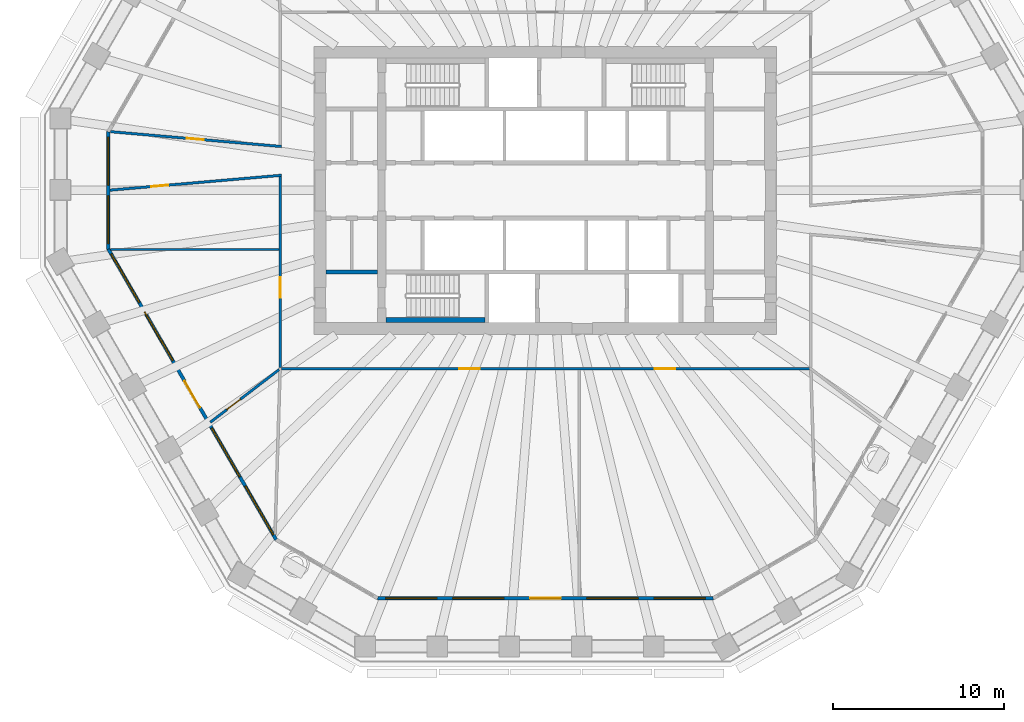
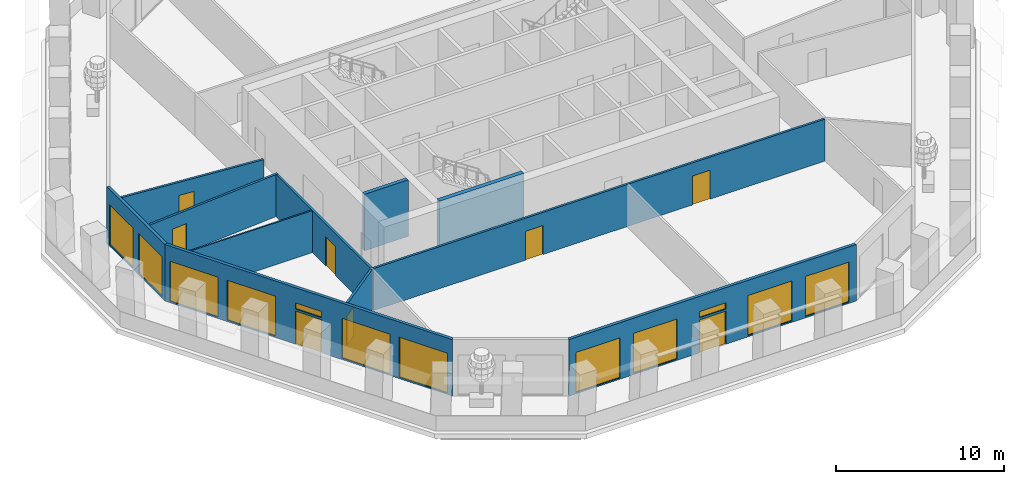
# One storey, part 3 of 12: 12 windows, 11 walls, 8 doors, 20 openings.
"""IFC4 building model written with IfcOpenShell, lengths in metres."""

from ifc_helpers import new_model, si_unit, direction, frame, frame_2d, origin, place, context, subcontext, project, spatial, polyline, rectangle, outline, extrude, material, layer, layer_set, type_object, element, fill, save


model = new_model("IFC4")

# Units and contexts
model_context = context("Model", 3, precision=1e-05, world=origin(), true_north=direction((0.0, 1.0)))
body_context = subcontext(model_context, "Body", "Model", "MODEL_VIEW")
ifc_project = project(units=[si_unit("LENGTHUNIT", "METRE"), si_unit("AREAUNIT", "SQUARE_METRE"), si_unit("VOLUMEUNIT", "CUBIC_METRE"), si_unit("PLANEANGLEUNIT", "RADIAN"), si_unit("MASSUNIT", "GRAM", prefix="KILO")], contexts=[model_context])

# Site, building, storey
site_placement = place(None, origin())
site = spatial("IfcSite", under=ifc_project, at=site_placement, CompositionType="ELEMENT")
building_placement = place(site_placement, origin())
building = spatial("IfcBuilding", under=site, at=building_placement, Name="Frailejon Research Tower", CompositionType="ELEMENT")
storey_placement = place(building_placement, frame((0.0, 0.0, 145.199951171875)))
storey = spatial("IfcBuildingStorey", under=building, at=storey_placement, Name="L31", CompositionType="ELEMENT", Elevation=145.199951171875)

# Wall, opening, door
ifc_material_1 = material(Name="Gypsum board and masonry partition", Category="masonry")
ifc_layer_1 = layer(ifc_material_1, 0.14990234375)
ifc_layer_set_1 = layer_set([ifc_layer_1], Name="Corridor wall EI 60, gypsum on steel studs 150")
wall_type_1 = type_object("IfcWallType", Name="Corridor wall EI 60, gypsum on steel studs 150", PredefinedType="PARTITIONING", material=ifc_layer_set_1)
wall_1_placement = place(storey_placement, frame((-15.550048828125, -10.375, 0.0), z_axis=(0.0, 0.0, 1.0), x_axis=(0.0, 1.0, 0.0)))
wall_1 = element("IfcWall", 1, at=wall_1_placement, inside=storey, type_object=wall_type_1, Name="T:IW:L31:004", PredefinedType="PARTITIONING", context=body_context, shape_type="SweptSolid", body=[
    extrude(rectangle(XDim=11.18212890625, YDim=0.14990234375, at=frame_2d((5.591064453125, 0.0))), origin(), (0.0, 0.0, 1.0), 3.050048828125),
])
opening_1_placement = place(wall_1_placement, frame((4.08935546875, 0.0, 0.0)))
opening_1 = element("IfcOpeningElement", 2, at=opening_1_placement, cuts=wall_1, Name="Opening D1702", PredefinedType="OPENING", context=body_context, shape_type="SweptSolid", body=[
    extrude(rectangle(XDim=1.199951171875, YDim=2.10009765625, at=frame_2d((0.60009765625, 1.050048828125))), frame((0.0, 0.0849609375, 0.0), z_axis=(0.0, -1.0, 0.0), x_axis=(1.0, 0.0, 0.0)), (0.0, 0.0, 1.0), 0.169921875),
])
ifc_material_2 = material(Name="Timber door leaf", Category="wood")
door_type_1 = type_object("IfcDoorType", Name="Door single leaf, timber, steel frame 1200", OperationType="NOTDEFINED", PredefinedType="DOOR", material=ifc_material_2)
door_1_placement = place(opening_1_placement, origin())
door_1 = element("IfcDoor", 3, at=door_1_placement, inside=storey, type_object=door_type_1, Name="D1702", OperationType="DOUBLE_DOOR_SINGLE_SWING", OverallHeight=2.10009765625, OverallWidth=1.199951171875, PredefinedType="DOOR", context=body_context, shape_type="SweptSolid", body=[
    extrude(rectangle(XDim=1.199951171875, YDim=2.10009765625, at=frame_2d((0.60009765625, 1.050048828125))), frame((0.0, 0.02490234375, 0.0), z_axis=(0.0, -1.0, 0.0), x_axis=(1.0, 0.0, 0.0)), (0.0, 0.0, 1.0), 0.050048828125),
])
fill(opening_1, door_1)

# Wall, openings, doors
wall_2_placement = place(storey_placement, frame((-15.47509765625, -10.449951171875, 0.0), z_axis=(0.0, 0.0, 1.0), x_axis=(1.0, 0.0, 0.0)))
wall_2 = element("IfcWall", 4, at=wall_2_placement, inside=storey, type_object=wall_type_1, Name="T:IW:L31:006", PredefinedType="PARTITIONING", context=body_context, shape_type="SweptSolid", body=[
    extrude(rectangle(XDim=30.9501953125, YDim=0.14990234375, at=frame_2d((15.47509765625, 0.0))), origin(), (0.0, 0.0, 1.0), 3.050048828125),
])
opening_2_placement = place(wall_2_placement, frame((10.4287109375, 0.0, 0.0)))
opening_2 = element("IfcOpeningElement", 5, at=opening_2_placement, cuts=wall_2, Name="Opening D1704", PredefinedType="OPENING", context=body_context, shape_type="SweptSolid", body=[
    extrude(rectangle(XDim=1.199951171875, YDim=2.10009765625, at=frame_2d((0.60009765625, 1.050048828125))), frame((0.0, 0.0849609375, 0.0), z_axis=(0.0, -1.0, 0.0), x_axis=(1.0, 0.0, 0.0)), (0.0, 0.0, 1.0), 0.169921875),
])
opening_3_placement = place(wall_2_placement, frame((21.8837890625, 0.0, 0.0)))
opening_3 = element("IfcOpeningElement", 6, at=opening_3_placement, cuts=wall_2, Name="Opening D1705", PredefinedType="OPENING", context=body_context, shape_type="SweptSolid", body=[
    extrude(rectangle(XDim=1.199951171875, YDim=2.10009765625, at=frame_2d((0.60009765625, 1.050048828125))), frame((0.0, 0.0849609375, 0.0), z_axis=(0.0, -1.0, 0.0), x_axis=(1.0, 0.0, 0.0)), (0.0, 0.0, 1.0), 0.169921875),
])
ifc_material_3 = material(Name="Timber door leaf", Category="wood")
door_type_2 = type_object("IfcDoorType", Name="Door laboratory, timber, vision panel 1200", OperationType="NOTDEFINED", PredefinedType="DOOR", material=ifc_material_3)
door_2_placement = place(opening_2_placement, origin())
door_2 = element("IfcDoor", 7, at=door_2_placement, inside=storey, type_object=door_type_2, Name="D1704", OperationType="DOUBLE_DOOR_SINGLE_SWING", OverallHeight=2.10009765625, OverallWidth=1.199951171875, PredefinedType="DOOR", context=body_context, shape_type="SweptSolid", body=[
    extrude(rectangle(XDim=1.199951171875, YDim=2.10009765625, at=frame_2d((0.60009765625, 1.050048828125))), frame((0.0, 0.02490234375, 0.0), z_axis=(0.0, -1.0, 0.0), x_axis=(1.0, 0.0, 0.0)), (0.0, 0.0, 1.0), 0.050048828125),
])
fill(opening_2, door_2)
door_3_placement = place(opening_3_placement, origin())
door_3 = element("IfcDoor", 8, at=door_3_placement, inside=storey, type_object=door_type_2, Name="D1705", OperationType="DOUBLE_DOOR_SINGLE_SWING", OverallHeight=2.10009765625, OverallWidth=1.199951171875, PredefinedType="DOOR", context=body_context, shape_type="SweptSolid", body=[
    extrude(rectangle(XDim=1.199951171875, YDim=2.10009765625, at=frame_2d((0.60009765625, 1.050048828125))), frame((0.0, 0.02490234375, 0.0), z_axis=(0.0, -1.0, 0.0), x_axis=(1.0, 0.0, 0.0)), (0.0, 0.0, 1.0), 0.050048828125),
])
fill(opening_3, door_3)

# Wall, opening, door
wall_3_placement = place(storey_placement, frame((-25.492919921875, 3.445068359375, 0.0), z_axis=(0.0, 0.0, 1.0), x_axis=(0.996255242107, -0.086460930911, 0.0)))
wall_3 = element("IfcWall", 9, at=wall_3_placement, inside=storey, type_object=wall_type_1, Name="T:IW:L31:007", PredefinedType="PARTITIONING", context=body_context, shape_type="SweptSolid", body=[
    extrude(rectangle(XDim=10.05517578125, YDim=0.14990234375, at=frame_2d((5.027587890625, 0.0))), origin(), (0.0, 0.0, 1.0), 3.050048828125),
])
opening_4_placement = place(wall_3_placement, frame((4.489990234375, 0.0, 0.0)))
opening_4 = element("IfcOpeningElement", 10, at=opening_4_placement, cuts=wall_3, Name="Opening D1700", PredefinedType="OPENING", context=body_context, shape_type="SweptSolid", body=[
    extrude(rectangle(XDim=1.0, YDim=2.10009765625, at=frame_2d((0.5, 1.050048828125))), frame((0.0, 0.0849609375, 0.0), z_axis=(0.0, -1.0, 0.0), x_axis=(1.0, 0.0, 0.0)), (0.0, 0.0, 1.0), 0.169921875),
])
ifc_material_4 = material(Name="Timber door leaf", Category="wood")
door_type_3 = type_object("IfcDoorType", Name="Door single leaf, timber, steel frame 1000", OperationType="NOTDEFINED", PredefinedType="DOOR", material=ifc_material_4)
door_4_placement = place(opening_4_placement, origin())
door_4 = element("IfcDoor", 11, at=door_4_placement, inside=storey, type_object=door_type_3, Name="D1700", OperationType="SINGLE_SWING_LEFT", OverallHeight=2.10009765625, OverallWidth=1.0, PredefinedType="DOOR", context=body_context, shape_type="SweptSolid", body=[
    extrude(rectangle(XDim=1.0, YDim=2.10009765625, at=frame_2d((0.5, 1.050048828125))), frame((0.0, 0.02490234375, 0.0), z_axis=(0.0, -1.0, 0.0), x_axis=(1.0, 0.0, 0.0)), (0.0, 0.0, 1.0), 0.050048828125),
])
fill(opening_4, door_4)

wall_4_placement = place(storey_placement, frame((-25.5126953125, 0.017333984375, 0.0), z_axis=(0.0, 0.0, 1.0), x_axis=(0.996255304015, 0.086460217564, 0.0)))
wall_4 = element("IfcWall", 12, at=wall_4_placement, inside=storey, type_object=wall_type_1, Name="T:IW:L31:008", PredefinedType="PARTITIONING", context=body_context, shape_type="SweptSolid", body=[
    extrude(rectangle(XDim=10.0751953125, YDim=0.14990234375, at=frame_2d((5.03759765625, 0.0))), origin(), (0.0, 0.0, 1.0), 3.050048828125),
])
opening_5_placement = place(wall_4_placement, frame((2.425048828125, 0.0, 0.0)))
opening_5 = element("IfcOpeningElement", 13, at=opening_5_placement, cuts=wall_4, Name="Opening D1701", PredefinedType="OPENING", context=body_context, shape_type="SweptSolid", body=[
    extrude(rectangle(XDim=1.0, YDim=2.10009765625, at=frame_2d((0.5, 1.050048828125))), frame((0.0, 0.0849609375, 0.0), z_axis=(0.0, -1.0, 0.0), x_axis=(1.0, 0.0, 0.0)), (0.0, 0.0, 1.0), 0.169921875),
])
door_5_placement = place(opening_5_placement, origin())
door_5 = element("IfcDoor", 14, at=door_5_placement, inside=storey, type_object=door_type_3, Name="D1701", OperationType="SINGLE_SWING_RIGHT", OverallHeight=2.10009765625, OverallWidth=1.0, PredefinedType="DOOR", context=body_context, shape_type="SweptSolid", body=[
    extrude(rectangle(XDim=1.0, YDim=2.10009765625, at=frame_2d((0.5, 1.050048828125))), frame((0.0, 0.02490234375, 0.0), z_axis=(0.0, -1.0, 0.0), x_axis=(1.0, 0.0, 0.0)), (0.0, 0.0, 1.0), 0.050048828125),
])
fill(opening_5, door_5)

ifc_material_5 = material(Name="Gypsum board and masonry partition", Category="masonry")
ifc_layer_2 = layer(ifc_material_5, 0.14990234375)
ifc_layer_set_2 = layer_set([ifc_layer_2], Name="Laboratory partition, blockwork 150")
wall_type_2 = type_object("IfcWallType", Name="Laboratory partition, blockwork 150", PredefinedType="PARTITIONING", material=ifc_layer_set_2)
wall_5_placement = place(storey_placement, frame((-19.638916015625, -13.58447265625, 0.0), z_axis=(0.0, 0.0, 1.0), x_axis=(0.793631127729, 0.608399238247, 0.0)))
wall_5 = element("IfcWall", 15, at=wall_5_placement, inside=storey, type_object=wall_type_2, Name="T:IW:L31:016", PredefinedType="PARTITIONING", context=body_context, shape_type="SweptSolid", body=[
    extrude(rectangle(XDim=5.0771484375, YDim=0.14990234375, at=frame_2d((2.53857421875, 0.0))), origin(), (0.0, 0.0, 1.0), 3.050048828125),
])
opening_6_placement = place(wall_5_placement, frame((1.212890625, 0.0, 0.0)))
opening_6 = element("IfcOpeningElement", 16, at=opening_6_placement, cuts=wall_5, Name="Opening D1703", PredefinedType="OPENING", context=body_context, shape_type="SweptSolid", body=[
    extrude(rectangle(XDim=1.0, YDim=2.10009765625, at=frame_2d((0.5, 1.050048828125))), frame((0.0, 0.0849609375, 0.0), z_axis=(0.0, -1.0, 0.0), x_axis=(1.0, 0.0, 0.0)), (0.0, 0.0, 1.0), 0.169921875),
])
ifc_material_6 = material(Name="Timber door leaf", Category="wood")
door_type_4 = type_object("IfcDoorType", Name="Door laboratory, timber, vision panel 1000", OperationType="NOTDEFINED", PredefinedType="DOOR", material=ifc_material_6)
door_6_placement = place(opening_6_placement, origin())
door_6 = element("IfcDoor", 17, at=door_6_placement, inside=storey, type_object=door_type_4, Name="D1703", OperationType="SINGLE_SWING_RIGHT", OverallHeight=2.10009765625, OverallWidth=1.0, PredefinedType="DOOR", context=body_context, shape_type="SweptSolid", body=[
    extrude(rectangle(XDim=1.0, YDim=2.10009765625, at=frame_2d((0.5, 1.050048828125))), frame((0.0, 0.02490234375, 0.0), z_axis=(0.0, -1.0, 0.0), x_axis=(1.0, 0.0, 0.0)), (0.0, 0.0, 1.0), 0.050048828125),
])
fill(opening_6, door_6)

# Walls
ifc_material_7 = material(Name="Gypsum board and masonry partition", Category="masonry")
ifc_layer_3 = layer(ifc_material_7, 0.10009765625)
ifc_layer_set_3 = layer_set([ifc_layer_3], Name="Partition, gypsum on steel studs 100")
wall_type_3 = type_object("IfcWallType", Name="Partition, gypsum on steel studs 100", PredefinedType="PARTITIONING", material=ifc_layer_set_3)
wall_6_placement = place(storey_placement, frame((-25.48193359375, -3.464111328125, 0.0), z_axis=(0.0, 0.0, 1.0), x_axis=(1.0, 0.0, 0.0)))
element("IfcWall", 18, at=wall_6_placement, inside=storey, type_object=wall_type_3, Name="T:IW:L31:021", PredefinedType="PARTITIONING", context=body_context, shape_type="SweptSolid", body=[
    extrude(rectangle(XDim=9.85693359375, YDim=0.10009765625, at=frame_2d((4.928466796875, 0.0))), origin(), (0.0, 0.0, 1.0), 3.050048828125),
])
ifc_material_8 = material(Name="Concrete C60/75", Category="concrete")
ifc_layer_4 = layer(ifc_material_8, 0.25)
ifc_layer_set_4 = layer_set([ifc_layer_4], Name="Shaft wall 250 C60/75")
wall_type_4 = type_object("IfcWallType", Name="Shaft wall 250 C60/75", PredefinedType="SOLIDWALL", material=ifc_layer_set_4)
wall_7_placement = place(storey_placement, frame((-12.85009765625, -4.77490234375, 0.0), z_axis=(0.0, 0.0, 1.0), x_axis=(1.0, 0.0, 0.0)))
element("IfcWall", 19, at=wall_7_placement, inside=storey, type_object=wall_type_4, Name="Shaft wall", PredefinedType="SOLIDWALL", context=body_context, shape_type="SweptSolid", body=[
    extrude(rectangle(XDim=3.0, YDim=0.25, at=frame_2d((1.5, 0.0))), origin(), (0.0, 0.0, 1.0), 4.10009765625),
])
ifc_material_9 = material(Name="Concrete C60/75", Category="concrete")
ifc_layer_5 = layer(ifc_material_9, 0.300048828125)
ifc_layer_set_5 = layer_set([ifc_layer_5], Name="Shaft wall 300 C60/75")
wall_type_5 = type_object("IfcWallType", Name="Shaft wall 300 C60/75", PredefinedType="SOLIDWALL", material=ifc_layer_set_5)
wall_8_placement = place(storey_placement, frame((-9.35009765625, -7.60009765625, 0.0), z_axis=(0.0, 0.0, 1.0), x_axis=(1.0, 0.0, 0.0)))
element("IfcWall", 20, at=wall_8_placement, inside=storey, type_object=wall_type_5, Name="Shaft wall", PredefinedType="SOLIDWALL", context=body_context, shape_type="SweptSolid", body=[
    extrude(rectangle(XDim=5.800048828125, YDim=0.300048828125, at=frame_2d((2.89990234375, 0.0))), origin(), (0.0, 0.0, 1.0), 4.10009765625),
])

# Wall, openings, windows
ifc_material_10 = material(Name="Concrete C40/50 precast window wall panel", Category="concrete")
ifc_layer_6 = layer(ifc_material_10, 0.199951171875)
ifc_layer_set_6 = layer_set([ifc_layer_6], Name="Window wall 200")
wall_type_6 = type_object("IfcWallType", Name="Window wall 200", PredefinedType="SOLIDWALL", material=ifc_layer_set_6)
wall_9_placement = place(storey_placement, frame((-25.61279296875, 3.437255859375, 0.0), z_axis=(0.0, 0.0, 1.0), x_axis=(0.0, -1.0, 0.0)))
wall_9 = element("IfcWall", 21, at=wall_9_placement, inside=storey, type_object=wall_type_6, Name="Exterior wall L31", PredefinedType="SOLIDWALL", context=body_context, shape_type="SweptSolid", body=[
    extrude(outline(polyline([(-0.02685546875, -0.10009765625), (1.1279296875, -0.10009765625), (2.282470703125, -0.10009765625), (3.437255859375, -0.10009765625), (4.592041015625, -0.10009765625), (5.74658203125, -0.10009765625), (6.9013671875, -0.10009765625), (6.84765625, 0.10009765625), (5.7109375, 0.10009765625), (4.573974609375, 0.10009765625), (3.437255859375, 0.10009765625), (2.300537109375, 0.10009765625), (1.16357421875, 0.10009765625), (0.02685546875, 0.10009765625), (-0.02685546875, -0.10009765625)])), origin(), (0.0, 0.0, 1.0), 4.10009765625),
])
opening_7_placement = place(wall_9_placement, frame((0.318603515625, 0.0, 0.10009765625)))
opening_7 = element("IfcOpeningElement", 22, at=opening_7_placement, cuts=wall_9, Name="Opening W3", PredefinedType="OPENING", context=body_context, shape_type="SweptSolid", body=[
    extrude(rectangle(XDim=2.800048828125, YDim=2.89990234375, at=frame_2d((1.39990234375, 1.449951171875))), frame((0.0, 0.10986328125, 0.0), z_axis=(0.0, -1.0, 0.0), x_axis=(1.0, 0.0, 0.0)), (0.0, 0.0, 1.0), 0.219970703125),
])
opening_8_placement = place(wall_9_placement, frame((3.756103515625, 0.0, 0.10009765625)))
opening_8 = element("IfcOpeningElement", 23, at=opening_8_placement, cuts=wall_9, Name="Opening W3", PredefinedType="OPENING", context=body_context, shape_type="SweptSolid", body=[
    extrude(rectangle(XDim=2.800048828125, YDim=2.89990234375, at=frame_2d((1.39990234375, 1.449951171875))), frame((0.0, 0.10986328125, 0.0), z_axis=(0.0, -1.0, 0.0), x_axis=(1.0, 0.0, 0.0)), (0.0, 0.0, 1.0), 0.219970703125),
])
ifc_material_11 = material(Name="Aluminium framed double glazing", Category="aluminium")
window_type_1 = type_object("IfcWindowType", Name="Window 2800x2900", PartitioningType="SINGLE_PANEL", PredefinedType="WINDOW", material=ifc_material_11)
window_1_placement = place(opening_7_placement, origin())
window_1 = element("IfcWindow", 24, at=window_1_placement, inside=storey, type_object=window_type_1, Name="Window L31", OverallHeight=2.89990234375, OverallWidth=2.800048828125, PartitioningType="SINGLE_PANEL", PredefinedType="WINDOW", context=body_context, shape_type="SweptSolid", body=[
    extrude(rectangle(XDim=2.800048828125, YDim=2.89990234375, at=frame_2d((1.39990234375, 1.449951171875))), frame((0.0, 0.030029296875, 0.0), z_axis=(0.0, -1.0, 0.0), x_axis=(1.0, 0.0, 0.0)), (0.0, 0.0, 1.0), 0.06005859375),
])
fill(opening_7, window_1)
window_2_placement = place(opening_8_placement, origin())
window_2 = element("IfcWindow", 25, at=window_2_placement, inside=storey, type_object=window_type_1, Name="Window L31", OverallHeight=2.89990234375, OverallWidth=2.800048828125, PartitioningType="SINGLE_PANEL", PredefinedType="WINDOW", context=body_context, shape_type="SweptSolid", body=[
    extrude(rectangle(XDim=2.800048828125, YDim=2.89990234375, at=frame_2d((1.39990234375, 1.449951171875))), frame((0.0, 0.030029296875, 0.0), z_axis=(0.0, -1.0, 0.0), x_axis=(1.0, 0.0, 0.0)), (0.0, 0.0, 1.0), 0.06005859375),
])
fill(opening_8, window_2)

# Wall, openings, door, windows
wall_10_placement = place(storey_placement, frame((-25.61279296875, -3.437255859375, 0.0), z_axis=(0.0, 0.0, 1.0), x_axis=(0.499999083763, -0.866025932773, 0.0)))
wall_10 = element("IfcWall", 26, at=wall_10_placement, inside=storey, type_object=wall_type_6, Name="Exterior wall L31", PredefinedType="SOLIDWALL", context=body_context, shape_type="SweptSolid", body=[
    extrude(outline(polyline([(-0.02685546875, -0.10009765625), (1.0107421875, -0.10009765625), (2.048095703125, -0.10009765625), (3.085693359375, -0.10009765625), (4.123291015625, -0.10009765625), (5.16064453125, -0.10009765625), (6.1982421875, -0.10009765625), (7.23583984375, -0.10009765625), (8.273193359375, -0.10009765625), (9.310791015625, -0.10009765625), (10.348388671875, -0.10009765625), (11.385986328125, -0.10009765625), (12.42333984375, -0.10009765625), (13.4609375, -0.10009765625), (14.49853515625, -0.10009765625), (15.535888671875, -0.10009765625), (16.573486328125, -0.10009765625), (17.611083984375, -0.10009765625), (18.6484375, -0.10009765625), (19.68603515625, -0.10009765625), (19.63232421875, 0.10009765625), (18.600341796875, 0.10009765625), (17.568603515625, 0.10009765625), (16.53662109375, 0.10009765625), (15.5048828125, 0.10009765625), (14.472900390625, 0.10009765625), (13.441162109375, 0.10009765625), (12.4091796875, 0.10009765625), (11.37744140625, 0.10009765625), (10.345458984375, 0.10009765625), (9.313720703125, 0.10009765625), (8.28173828125, 0.10009765625), (7.25, 0.10009765625), (6.218017578125, 0.10009765625), (5.186279296875, 0.10009765625), (4.154296875, 0.10009765625), (3.12255859375, 0.10009765625), (2.090576171875, 0.10009765625), (1.058837890625, 0.10009765625), (0.02685546875, 0.10009765625), (-0.02685546875, -0.10009765625)])), origin(), (0.0, 0.0, 1.0), 4.10009765625),
])
opening_9_placement = place(wall_10_placement, frame((0.31591796875, 0.0, 0.10009765625)))
opening_9 = element("IfcOpeningElement", 27, at=opening_9_placement, cuts=wall_10, Name="Opening W5", PredefinedType="OPENING", context=body_context, shape_type="SweptSolid", body=[
    extrude(rectangle(XDim=3.300048828125, YDim=2.89990234375, at=frame_2d((1.64990234375, 1.449951171875))), frame((0.0, 0.10986328125, 0.0), z_axis=(0.0, -1.0, 0.0), x_axis=(1.0, 0.0, 0.0)), (0.0, 0.0, 1.0), 0.219970703125),
])
opening_10_placement = place(wall_10_placement, frame((4.247802734375, 0.0, 0.10009765625)))
opening_10 = element("IfcOpeningElement", 28, at=opening_10_placement, cuts=wall_10, Name="Opening W5", PredefinedType="OPENING", context=body_context, shape_type="SweptSolid", body=[
    extrude(rectangle(XDim=3.300048828125, YDim=2.89990234375, at=frame_2d((1.64990234375, 1.449951171875))), frame((0.0, 0.10986328125, 0.0), z_axis=(0.0, -1.0, 0.0), x_axis=(1.0, 0.0, 0.0)), (0.0, 0.0, 1.0), 0.219970703125),
])
opening_11_placement = place(wall_10_placement, frame((8.9296875, 0.0, 0.0)))
opening_11 = element("IfcOpeningElement", 29, at=opening_11_placement, cuts=wall_10, Name="Opening LG31-4", PredefinedType="OPENING", context=body_context, shape_type="SweptSolid", body=[
    extrude(rectangle(XDim=1.800048828125, YDim=2.39990234375, at=frame_2d((0.89990234375, 1.199951171875))), frame((0.0, 0.10986328125, 0.0), z_axis=(0.0, -1.0, 0.0), x_axis=(1.0, 0.0, 0.0)), (0.0, 0.0, 1.0), 0.219970703125),
])
opening_12_placement = place(wall_10_placement, frame((8.9296875, 0.0, 2.550048828125)))
opening_12 = element("IfcOpeningElement", 30, at=opening_12_placement, cuts=wall_10, Name="Opening W1", PredefinedType="OPENING", context=body_context, shape_type="SweptSolid", body=[
    extrude(rectangle(XDim=1.800048828125, YDim=0.449951171875, at=frame_2d((0.89990234375, 0.22509765625))), frame((0.0, 0.10986328125, 0.0), z_axis=(0.0, -1.0, 0.0), x_axis=(1.0, 0.0, 0.0)), (0.0, 0.0, 1.0), 0.219970703125),
])
opening_13_placement = place(wall_10_placement, frame((12.111572265625, 0.0, 0.10009765625)))
opening_13 = element("IfcOpeningElement", 31, at=opening_13_placement, cuts=wall_10, Name="Opening W5", PredefinedType="OPENING", context=body_context, shape_type="SweptSolid", body=[
    extrude(rectangle(XDim=3.300048828125, YDim=2.89990234375, at=frame_2d((1.64990234375, 1.449951171875))), frame((0.0, 0.10986328125, 0.0), z_axis=(0.0, -1.0, 0.0), x_axis=(1.0, 0.0, 0.0)), (0.0, 0.0, 1.0), 0.219970703125),
])
opening_14_placement = place(wall_10_placement, frame((16.043212890625, 0.0, 0.10009765625)))
opening_14 = element("IfcOpeningElement", 32, at=opening_14_placement, cuts=wall_10, Name="Opening W5", PredefinedType="OPENING", context=body_context, shape_type="SweptSolid", body=[
    extrude(rectangle(XDim=3.300048828125, YDim=2.89990234375, at=frame_2d((1.64990234375, 1.449951171875))), frame((0.0, 0.10986328125, 0.0), z_axis=(0.0, -1.0, 0.0), x_axis=(1.0, 0.0, 0.0)), (0.0, 0.0, 1.0), 0.219970703125),
])
ifc_material_12 = material(Name="Aluminium framed glazed door leaf", Category="aluminium")
door_type_5 = type_object("IfcDoorType", Name="Loggia door 1800x2400", OperationType="DOUBLE_DOOR_SINGLE_SWING", PredefinedType="DOOR", material=ifc_material_12)
door_7_placement = place(opening_11_placement, origin())
door_7 = element("IfcDoor", 33, at=door_7_placement, inside=storey, type_object=door_type_5, Name="Door LG31-4", OperationType="DOUBLE_DOOR_SINGLE_SWING", OverallHeight=2.39990234375, OverallWidth=1.800048828125, PredefinedType="DOOR", context=body_context, shape_type="SweptSolid", body=[
    extrude(rectangle(XDim=1.800048828125, YDim=2.39990234375, at=frame_2d((0.89990234375, 1.199951171875))), frame((0.0, 0.02490234375, 0.0), z_axis=(0.0, -1.0, 0.0), x_axis=(1.0, 0.0, 0.0)), (0.0, 0.0, 1.0), 0.050048828125),
])
fill(opening_11, door_7)
ifc_material_13 = material(Name="Aluminium framed double glazing", Category="aluminium")
window_type_2 = type_object("IfcWindowType", Name="Window 1800x450", PartitioningType="SINGLE_PANEL", PredefinedType="WINDOW", material=ifc_material_13)
window_3_placement = place(opening_12_placement, origin())
window_3 = element("IfcWindow", 34, at=window_3_placement, inside=storey, type_object=window_type_2, Name="Window L31", OverallHeight=0.449951171875, OverallWidth=1.800048828125, PartitioningType="SINGLE_PANEL", PredefinedType="WINDOW", context=body_context, shape_type="SweptSolid", body=[
    extrude(rectangle(XDim=1.800048828125, YDim=0.449951171875, at=frame_2d((0.89990234375, 0.22509765625))), frame((0.0, 0.030029296875, 0.0), z_axis=(0.0, -1.0, 0.0), x_axis=(1.0, 0.0, 0.0)), (0.0, 0.0, 1.0), 0.06005859375),
])
fill(opening_12, window_3)
ifc_material_14 = material(Name="Aluminium framed double glazing", Category="aluminium")
window_type_3 = type_object("IfcWindowType", Name="Window 3300x2900", PartitioningType="SINGLE_PANEL", PredefinedType="WINDOW", material=ifc_material_14)
window_4_placement = place(opening_9_placement, origin())
window_4 = element("IfcWindow", 35, at=window_4_placement, inside=storey, type_object=window_type_3, Name="Window L31", OverallHeight=2.89990234375, OverallWidth=3.300048828125, PartitioningType="SINGLE_PANEL", PredefinedType="WINDOW", context=body_context, shape_type="SweptSolid", body=[
    extrude(rectangle(XDim=3.300048828125, YDim=2.89990234375, at=frame_2d((1.64990234375, 1.449951171875))), frame((0.0, 0.030029296875, 0.0), z_axis=(0.0, -1.0, 0.0), x_axis=(1.0, 0.0, 0.0)), (0.0, 0.0, 1.0), 0.06005859375),
])
fill(opening_9, window_4)
window_5_placement = place(opening_10_placement, origin())
window_5 = element("IfcWindow", 36, at=window_5_placement, inside=storey, type_object=window_type_3, Name="Window L31", OverallHeight=2.89990234375, OverallWidth=3.300048828125, PartitioningType="SINGLE_PANEL", PredefinedType="WINDOW", context=body_context, shape_type="SweptSolid", body=[
    extrude(rectangle(XDim=3.300048828125, YDim=2.89990234375, at=frame_2d((1.64990234375, 1.449951171875))), frame((0.0, 0.030029296875, 0.0), z_axis=(0.0, -1.0, 0.0), x_axis=(1.0, 0.0, 0.0)), (0.0, 0.0, 1.0), 0.06005859375),
])
fill(opening_10, window_5)
window_6_placement = place(opening_13_placement, origin())
window_6 = element("IfcWindow", 37, at=window_6_placement, inside=storey, type_object=window_type_3, Name="Window L31", OverallHeight=2.89990234375, OverallWidth=3.300048828125, PartitioningType="SINGLE_PANEL", PredefinedType="WINDOW", context=body_context, shape_type="SweptSolid", body=[
    extrude(rectangle(XDim=3.300048828125, YDim=2.89990234375, at=frame_2d((1.64990234375, 1.449951171875))), frame((0.0, 0.030029296875, 0.0), z_axis=(0.0, -1.0, 0.0), x_axis=(1.0, 0.0, 0.0)), (0.0, 0.0, 1.0), 0.06005859375),
])
fill(opening_13, window_6)
window_7_placement = place(opening_14_placement, origin())
window_7 = element("IfcWindow", 38, at=window_7_placement, inside=storey, type_object=window_type_3, Name="Window L31", OverallHeight=2.89990234375, OverallWidth=3.300048828125, PartitioningType="SINGLE_PANEL", PredefinedType="WINDOW", context=body_context, shape_type="SweptSolid", body=[
    extrude(rectangle(XDim=3.300048828125, YDim=2.89990234375, at=frame_2d((1.64990234375, 1.449951171875))), frame((0.0, 0.030029296875, 0.0), z_axis=(0.0, -1.0, 0.0), x_axis=(1.0, 0.0, 0.0)), (0.0, 0.0, 1.0), 0.06005859375),
])
fill(opening_14, window_7)

wall_11_placement = place(storey_placement, frame((-9.82958984375, -23.89990234375, 0.0), z_axis=(0.0, 0.0, 1.0), x_axis=(1.0, 0.0, 0.0)))
wall_11 = element("IfcWall", 39, at=wall_11_placement, inside=storey, type_object=wall_type_6, Name="Exterior wall L31", PredefinedType="SOLIDWALL", context=body_context, shape_type="SweptSolid", body=[
    extrude(outline(polyline([(-0.02685546875, -0.10009765625), (1.0107421875, -0.10009765625), (2.048095703125, -0.10009765625), (3.085693359375, -0.10009765625), (4.123291015625, -0.10009765625), (5.16064453125, -0.10009765625), (6.1982421875, -0.10009765625), (7.23583984375, -0.10009765625), (8.273193359375, -0.10009765625), (9.310791015625, -0.10009765625), (10.348388671875, -0.10009765625), (11.385986328125, -0.10009765625), (12.42333984375, -0.10009765625), (13.4609375, -0.10009765625), (14.49853515625, -0.10009765625), (15.535888671875, -0.10009765625), (16.573486328125, -0.10009765625), (17.611083984375, -0.10009765625), (18.6484375, -0.10009765625), (19.68603515625, -0.10009765625), (19.63232421875, 0.10009765625), (18.600341796875, 0.10009765625), (17.568603515625, 0.10009765625), (16.53662109375, 0.10009765625), (15.5048828125, 0.10009765625), (14.472900390625, 0.10009765625), (13.441162109375, 0.10009765625), (12.4091796875, 0.10009765625), (11.37744140625, 0.10009765625), (10.345458984375, 0.10009765625), (9.313720703125, 0.10009765625), (8.28173828125, 0.10009765625), (7.25, 0.10009765625), (6.218017578125, 0.10009765625), (5.186279296875, 0.10009765625), (4.154296875, 0.10009765625), (3.12255859375, 0.10009765625), (2.090576171875, 0.10009765625), (1.058837890625, 0.10009765625), (0.02685546875, 0.10009765625), (-0.02685546875, -0.10009765625)])), origin(), (0.0, 0.0, 1.0), 4.10009765625),
])
opening_15_placement = place(wall_11_placement, frame((0.4658203125, 0.0, 0.10009765625)))
opening_15 = element("IfcOpeningElement", 40, at=opening_15_placement, cuts=wall_11, Name="Opening W4", PredefinedType="OPENING", context=body_context, shape_type="SweptSolid", body=[
    extrude(rectangle(XDim=3.0, YDim=2.89990234375, at=frame_2d((1.5, 1.449951171875))), frame((0.0, 0.10986328125, 0.0), z_axis=(0.0, -1.0, 0.0), x_axis=(1.0, 0.0, 0.0)), (0.0, 0.0, 1.0), 0.219970703125),
])
opening_16_placement = place(wall_11_placement, frame((4.397705078125, 0.0, 0.10009765625)))
opening_16 = element("IfcOpeningElement", 41, at=opening_16_placement, cuts=wall_11, Name="Opening W4", PredefinedType="OPENING", context=body_context, shape_type="SweptSolid", body=[
    extrude(rectangle(XDim=3.0, YDim=2.89990234375, at=frame_2d((1.5, 1.449951171875))), frame((0.0, 0.10986328125, 0.0), z_axis=(0.0, -1.0, 0.0), x_axis=(1.0, 0.0, 0.0)), (0.0, 0.0, 1.0), 0.219970703125),
])
opening_17_placement = place(wall_11_placement, frame((8.9296875, 0.0, 0.0)))
opening_17 = element("IfcOpeningElement", 42, at=opening_17_placement, cuts=wall_11, Name="Opening LG31-5", PredefinedType="OPENING", context=body_context, shape_type="SweptSolid", body=[
    extrude(rectangle(XDim=1.800048828125, YDim=2.39990234375, at=frame_2d((0.89990234375, 1.199951171875))), frame((0.0, 0.10986328125, 0.0), z_axis=(0.0, -1.0, 0.0), x_axis=(1.0, 0.0, 0.0)), (0.0, 0.0, 1.0), 0.219970703125),
])
opening_18_placement = place(wall_11_placement, frame((8.9296875, 0.0, 2.550048828125)))
opening_18 = element("IfcOpeningElement", 43, at=opening_18_placement, cuts=wall_11, Name="Opening W1", PredefinedType="OPENING", context=body_context, shape_type="SweptSolid", body=[
    extrude(rectangle(XDim=1.800048828125, YDim=0.449951171875, at=frame_2d((0.89990234375, 0.22509765625))), frame((0.0, 0.10986328125, 0.0), z_axis=(0.0, -1.0, 0.0), x_axis=(1.0, 0.0, 0.0)), (0.0, 0.0, 1.0), 0.219970703125),
])
opening_19_placement = place(wall_11_placement, frame((12.261474609375, 0.0, 0.10009765625)))
opening_19 = element("IfcOpeningElement", 44, at=opening_19_placement, cuts=wall_11, Name="Opening W4", PredefinedType="OPENING", context=body_context, shape_type="SweptSolid", body=[
    extrude(rectangle(XDim=3.0, YDim=2.89990234375, at=frame_2d((1.5, 1.449951171875))), frame((0.0, 0.10986328125, 0.0), z_axis=(0.0, -1.0, 0.0), x_axis=(1.0, 0.0, 0.0)), (0.0, 0.0, 1.0), 0.219970703125),
])
opening_20_placement = place(wall_11_placement, frame((16.193359375, 0.0, 0.10009765625)))
opening_20 = element("IfcOpeningElement", 45, at=opening_20_placement, cuts=wall_11, Name="Opening W4", PredefinedType="OPENING", context=body_context, shape_type="SweptSolid", body=[
    extrude(rectangle(XDim=3.0, YDim=2.89990234375, at=frame_2d((1.5, 1.449951171875))), frame((0.0, 0.10986328125, 0.0), z_axis=(0.0, -1.0, 0.0), x_axis=(1.0, 0.0, 0.0)), (0.0, 0.0, 1.0), 0.219970703125),
])
door_8_placement = place(opening_17_placement, origin())
door_8 = element("IfcDoor", 46, at=door_8_placement, inside=storey, type_object=door_type_5, Name="Door LG31-5", OperationType="DOUBLE_DOOR_SINGLE_SWING", OverallHeight=2.39990234375, OverallWidth=1.800048828125, PredefinedType="DOOR", context=body_context, shape_type="SweptSolid", body=[
    extrude(rectangle(XDim=1.800048828125, YDim=2.39990234375, at=frame_2d((0.89990234375, 1.199951171875))), frame((0.0, 0.02490234375, 0.0), z_axis=(0.0, -1.0, 0.0), x_axis=(1.0, 0.0, 0.0)), (0.0, 0.0, 1.0), 0.050048828125),
])
fill(opening_17, door_8)
window_8_placement = place(opening_18_placement, origin())
window_8 = element("IfcWindow", 47, at=window_8_placement, inside=storey, type_object=window_type_2, Name="Window L31", OverallHeight=0.449951171875, OverallWidth=1.800048828125, PartitioningType="SINGLE_PANEL", PredefinedType="WINDOW", context=body_context, shape_type="SweptSolid", body=[
    extrude(rectangle(XDim=1.800048828125, YDim=0.449951171875, at=frame_2d((0.89990234375, 0.22509765625))), frame((0.0, 0.030029296875, 0.0), z_axis=(0.0, -1.0, 0.0), x_axis=(1.0, 0.0, 0.0)), (0.0, 0.0, 1.0), 0.06005859375),
])
fill(opening_18, window_8)
ifc_material_15 = material(Name="Aluminium framed double glazing", Category="aluminium")
window_type_4 = type_object("IfcWindowType", Name="Window 3000x2900", PartitioningType="SINGLE_PANEL", PredefinedType="WINDOW", material=ifc_material_15)
window_9_placement = place(opening_15_placement, origin())
window_9 = element("IfcWindow", 48, at=window_9_placement, inside=storey, type_object=window_type_4, Name="Window L31", OverallHeight=2.89990234375, OverallWidth=3.0, PartitioningType="SINGLE_PANEL", PredefinedType="WINDOW", context=body_context, shape_type="SweptSolid", body=[
    extrude(rectangle(XDim=3.0, YDim=2.89990234375, at=frame_2d((1.5, 1.449951171875))), frame((0.0, 0.030029296875, 0.0), z_axis=(0.0, -1.0, 0.0), x_axis=(1.0, 0.0, 0.0)), (0.0, 0.0, 1.0), 0.06005859375),
])
fill(opening_15, window_9)
window_10_placement = place(opening_16_placement, origin())
window_10 = element("IfcWindow", 49, at=window_10_placement, inside=storey, type_object=window_type_4, Name="Window L31", OverallHeight=2.89990234375, OverallWidth=3.0, PartitioningType="SINGLE_PANEL", PredefinedType="WINDOW", context=body_context, shape_type="SweptSolid", body=[
    extrude(rectangle(XDim=3.0, YDim=2.89990234375, at=frame_2d((1.5, 1.449951171875))), frame((0.0, 0.030029296875, 0.0), z_axis=(0.0, -1.0, 0.0), x_axis=(1.0, 0.0, 0.0)), (0.0, 0.0, 1.0), 0.06005859375),
])
fill(opening_16, window_10)
window_11_placement = place(opening_19_placement, origin())
window_11 = element("IfcWindow", 50, at=window_11_placement, inside=storey, type_object=window_type_4, Name="Window L31", OverallHeight=2.89990234375, OverallWidth=3.0, PartitioningType="SINGLE_PANEL", PredefinedType="WINDOW", context=body_context, shape_type="SweptSolid", body=[
    extrude(rectangle(XDim=3.0, YDim=2.89990234375, at=frame_2d((1.5, 1.449951171875))), frame((0.0, 0.030029296875, 0.0), z_axis=(0.0, -1.0, 0.0), x_axis=(1.0, 0.0, 0.0)), (0.0, 0.0, 1.0), 0.06005859375),
])
fill(opening_19, window_11)
window_12_placement = place(opening_20_placement, origin())
window_12 = element("IfcWindow", 51, at=window_12_placement, inside=storey, type_object=window_type_4, Name="Window L31", OverallHeight=2.89990234375, OverallWidth=3.0, PartitioningType="SINGLE_PANEL", PredefinedType="WINDOW", context=body_context, shape_type="SweptSolid", body=[
    extrude(rectangle(XDim=3.0, YDim=2.89990234375, at=frame_2d((1.5, 1.449951171875))), frame((0.0, 0.030029296875, 0.0), z_axis=(0.0, -1.0, 0.0), x_axis=(1.0, 0.0, 0.0)), (0.0, 0.0, 1.0), 0.06005859375),
])
fill(opening_20, window_12)

save(model, "model.ifc")
